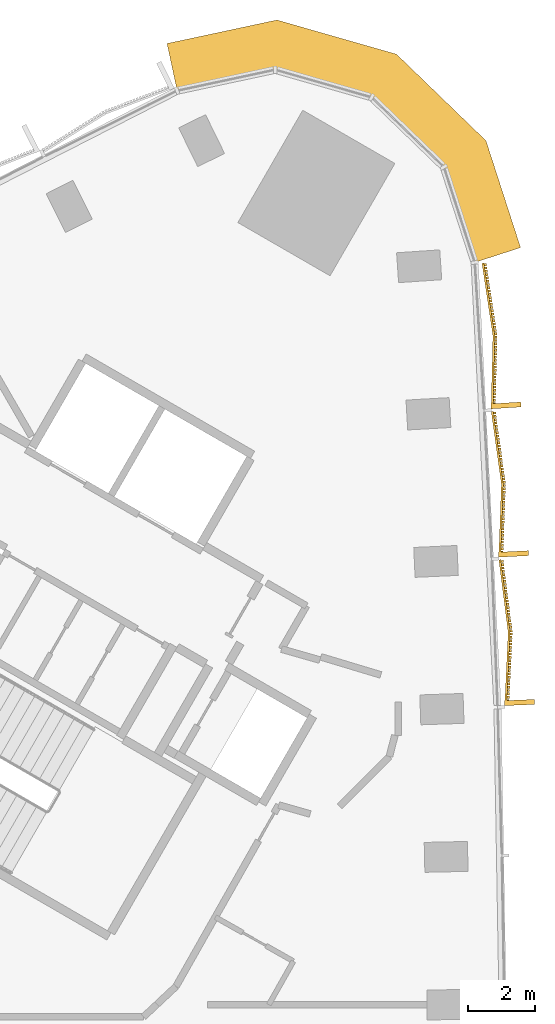
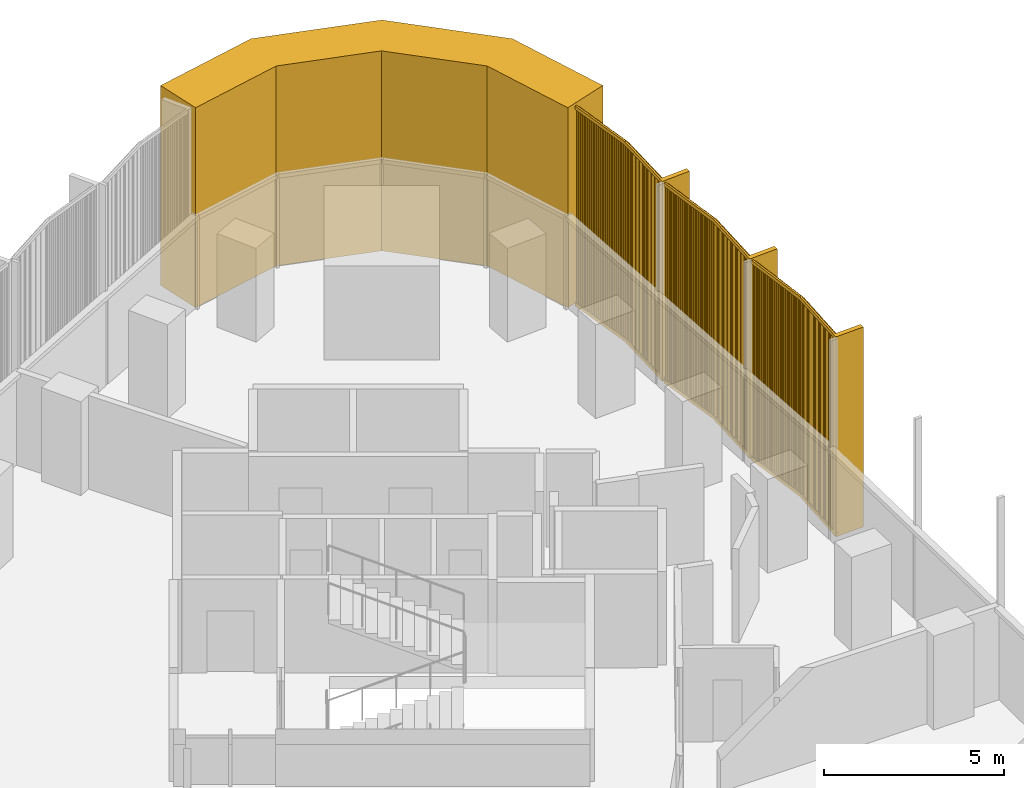
# One storey, part 15 of 15: 4 coverings.
"""IFC4 building model written with IfcOpenShell, lengths in metres."""

from ifc_helpers import new_model, si_unit, direction, frame, frame_2d, origin, place, context, subcontext, project, spatial, polyline, rectangle, outline, extrude, source, transform, mapped, material, layer, layer_set, type_object, element, save


model = new_model("IFC4")

# Units and contexts
model_context = context("Model", 3, precision=1e-05, world=origin(), true_north=direction((0.0, 1.0)))
body_context = subcontext(model_context, "Body", "Model", "MODEL_VIEW")
ifc_project = project(units=[si_unit("LENGTHUNIT", "METRE"), si_unit("AREAUNIT", "SQUARE_METRE"), si_unit("VOLUMEUNIT", "CUBIC_METRE"), si_unit("PLANEANGLEUNIT", "RADIAN"), si_unit("MASSUNIT", "GRAM", prefix="KILO")], contexts=[model_context])

# Site, building, storey
site_placement = place(None, origin())
site = spatial("IfcSite", under=ifc_project, at=site_placement, CompositionType="ELEMENT")
building_placement = place(site_placement, origin())
building = spatial("IfcBuilding", under=site, at=building_placement, Name="Tamra Quay Hotel Tower", CompositionType="ELEMENT")
storey_placement = place(building_placement, frame((0.0, 0.0, 79.39990234375)))
storey = spatial("IfcBuildingStorey", under=building, at=storey_placement, Name="L18", CompositionType="ELEMENT", Elevation=79.39990234375)

# Coverings
ifc_material_1 = material(Name="Precast concrete M60 terracotta-coloured", Category="masonry")
ifc_layer = layer(ifc_material_1, 1.449951171875)
ifc_layer_set = layer_set([ifc_layer], Name="CORNER PIER PANEL")
covering_type_1 = type_object("IfcCoveringType", Name="CORNER PIER PANEL", PredefinedType="CLADDING", material=ifc_layer_set)
covering_placement = place(storey_placement, origin())
element("IfcCovering", 1, at=covering_placement, inside=storey, type_object=covering_type_1, Name="Corner pier L18.east", PredefinedType="CLADDING", context=body_context, shape_type="SweptSolid", body=[
    extrude(outline(polyline([(21.41650390625, 26.762451171875), (22.7958984375, 27.208740234375), (21.756103515625, 30.423583984375), (19.066162109375, 33.0234375), (15.469482421875, 34.052978515625), (12.16552734375, 33.34619140625), (12.46875, 31.928466796875), (15.418701171875, 32.559326171875), (18.31884765625, 31.729248046875), (20.48779296875, 29.6328125), (21.41650390625, 26.762451171875)])), origin(), (0.0, 0.0, 1.0), 6.775146484375),
])
ifc_material_2 = material(Name="Terracotta baguette extruded", Category="masonry")
covering_type_2 = type_object("IfcCoveringType", Name="BAGUETTE SCREEN E-V H6775", PredefinedType="USERDEFINED", material=ifc_material_2)
shared_shape = source(origin(), body_context, "Body", "SweptSolid", [
    extrude(rectangle(XDim=2.200927734375, YDim=0.06005859375, at=frame_2d((1.1005859375, 0.030029296875))), frame((-2.19775390625, -0.057861328125, -0.1201171875), z_axis=(0.0, 0.0, 1.0), x_axis=(0.996194698092, -0.087155742748, 0.0)), (0.0, 0.0, 1.0), 0.1201171875),
    extrude(rectangle(XDim=2.200927734375, YDim=0.06005859375, at=frame_2d((1.1005859375, 0.030029296875))), frame((-2.19775390625, -0.057861328125, -6.77490234375), z_axis=(0.0, 0.0, 1.0), x_axis=(0.996194698092, -0.087155742748, 0.0)), (0.0, 0.0, 1.0), 0.1201171875),
    extrude(rectangle(XDim=0.070068359375, YDim=0.10009765625, at=frame_2d((0.03515625, 0.050048828125))), frame((-2.177734375, -0.13232421875, -6.715087890625)), (0.0, 0.0, 1.0), 6.655029296875),
    extrude(rectangle(XDim=0.070068359375, YDim=0.10009765625, at=frame_2d((0.03515625, 0.050048828125))), frame((-2.078125, -0.14111328125, -6.715087890625)), (0.0, 0.0, 1.0), 6.655029296875),
    extrude(rectangle(XDim=0.070068359375, YDim=0.10009765625, at=frame_2d((0.03515625, 0.050048828125))), frame((-1.978271484375, -0.14990234375, -6.715087890625)), (0.0, 0.0, 1.0), 6.655029296875),
    extrude(rectangle(XDim=0.070068359375, YDim=0.10009765625, at=frame_2d((0.03515625, 0.050048828125))), frame((-1.878662109375, -0.158447265625, -6.715087890625)), (0.0, 0.0, 1.0), 6.655029296875),
    extrude(rectangle(XDim=0.070068359375, YDim=0.10009765625, at=frame_2d((0.03515625, 0.050048828125))), frame((-1.779052734375, -0.167236328125, -6.715087890625)), (0.0, 0.0, 1.0), 6.655029296875),
    extrude(rectangle(XDim=0.070068359375, YDim=0.10009765625, at=frame_2d((0.03515625, 0.050048828125))), frame((-1.679443359375, -0.176025390625, -6.715087890625)), (0.0, 0.0, 1.0), 6.655029296875),
    extrude(rectangle(XDim=0.070068359375, YDim=0.10009765625, at=frame_2d((0.03515625, 0.050048828125))), frame((-1.579833984375, -0.1845703125, -6.715087890625)), (0.0, 0.0, 1.0), 6.655029296875),
    extrude(rectangle(XDim=0.070068359375, YDim=0.10009765625, at=frame_2d((0.03515625, 0.050048828125))), frame((-1.47998046875, -0.193359375, -6.715087890625)), (0.0, 0.0, 1.0), 6.655029296875),
    extrude(rectangle(XDim=0.070068359375, YDim=0.10009765625, at=frame_2d((0.03515625, 0.050048828125))), frame((-1.38037109375, -0.2021484375, -6.715087890625)), (0.0, 0.0, 1.0), 6.655029296875),
    extrude(rectangle(XDim=0.070068359375, YDim=0.10009765625, at=frame_2d((0.03515625, 0.050048828125))), frame((-1.28076171875, -0.2109375, -6.715087890625)), (0.0, 0.0, 1.0), 6.655029296875),
    extrude(rectangle(XDim=0.070068359375, YDim=0.10009765625, at=frame_2d((0.03515625, 0.050048828125))), frame((-1.18115234375, -0.219482421875, -6.715087890625)), (0.0, 0.0, 1.0), 6.655029296875),
    extrude(rectangle(XDim=0.070068359375, YDim=0.10009765625, at=frame_2d((0.03515625, 0.050048828125))), frame((-1.081298828125, -0.228271484375, -6.715087890625)), (0.0, 0.0, 1.0), 6.655029296875),
    extrude(rectangle(XDim=0.070068359375, YDim=0.10009765625, at=frame_2d((0.03515625, 0.050048828125))), frame((-0.981689453125, -0.237060546875, -6.715087890625)), (0.0, 0.0, 1.0), 6.655029296875),
    extrude(rectangle(XDim=0.070068359375, YDim=0.10009765625, at=frame_2d((0.03515625, 0.050048828125))), frame((-0.882080078125, -0.24560546875, -6.715087890625)), (0.0, 0.0, 1.0), 6.655029296875),
    extrude(rectangle(XDim=0.070068359375, YDim=0.10009765625, at=frame_2d((0.03515625, 0.050048828125))), frame((-0.782470703125, -0.25439453125, -6.715087890625)), (0.0, 0.0, 1.0), 6.655029296875),
    extrude(rectangle(XDim=0.070068359375, YDim=0.10009765625, at=frame_2d((0.03515625, 0.050048828125))), frame((-0.682861328125, -0.26318359375, -6.715087890625)), (0.0, 0.0, 1.0), 6.655029296875),
    extrude(rectangle(XDim=0.070068359375, YDim=0.10009765625, at=frame_2d((0.03515625, 0.050048828125))), frame((-0.583251953125, -0.27197265625, -6.715087890625)), (0.0, 0.0, 1.0), 6.655029296875),
    extrude(rectangle(XDim=0.070068359375, YDim=0.10009765625, at=frame_2d((0.03515625, 0.050048828125))), frame((-0.4833984375, -0.280517578125, -6.715087890625)), (0.0, 0.0, 1.0), 6.655029296875),
    extrude(rectangle(XDim=0.070068359375, YDim=0.10009765625, at=frame_2d((0.03515625, 0.050048828125))), frame((-0.3837890625, -0.289306640625, -6.715087890625)), (0.0, 0.0, 1.0), 6.655029296875),
    extrude(rectangle(XDim=0.070068359375, YDim=0.10009765625, at=frame_2d((0.03515625, 0.050048828125))), frame((-0.2841796875, -0.298095703125, -6.715087890625)), (0.0, 0.0, 1.0), 6.655029296875),
    extrude(rectangle(XDim=0.070068359375, YDim=0.10009765625, at=frame_2d((0.03515625, 0.050048828125))), frame((-0.1845703125, -0.306640625, -6.715087890625)), (0.0, 0.0, 1.0), 6.655029296875),
    extrude(rectangle(XDim=0.070068359375, YDim=0.10009765625, at=frame_2d((0.03515625, 0.050048828125))), frame((-0.084716796875, -0.3154296875, -6.715087890625)), (0.0, 0.0, 1.0), 6.655029296875),
    extrude(rectangle(XDim=2.200927734375, YDim=0.06005859375, at=frame_2d((1.1005859375, 0.030029296875))), frame((0.005126953125, -0.24951171875, -0.1201171875), z_axis=(0.0, 0.0, 1.0), x_axis=(0.996194698092, 0.087155742748, 0.0)), (0.0, 0.0, 1.0), 0.1201171875),
    extrude(rectangle(XDim=2.200927734375, YDim=0.06005859375, at=frame_2d((1.1005859375, 0.030029296875))), frame((0.005126953125, -0.24951171875, -6.77490234375), z_axis=(0.0, 0.0, 1.0), x_axis=(0.996194698092, 0.087155742748, 0.0)), (0.0, 0.0, 1.0), 0.1201171875),
    extrude(rectangle(XDim=0.070068359375, YDim=0.10009765625, at=frame_2d((0.03515625, 0.050048828125))), frame((0.014892578125, -0.3154296875, -6.715087890625)), (0.0, 0.0, 1.0), 6.655029296875),
    extrude(rectangle(XDim=0.070068359375, YDim=0.10009765625, at=frame_2d((0.03515625, 0.050048828125))), frame((0.114501953125, -0.306640625, -6.715087890625)), (0.0, 0.0, 1.0), 6.655029296875),
    extrude(rectangle(XDim=0.070068359375, YDim=0.10009765625, at=frame_2d((0.03515625, 0.050048828125))), frame((0.214111328125, -0.298095703125, -6.715087890625)), (0.0, 0.0, 1.0), 6.655029296875),
    extrude(rectangle(XDim=0.070068359375, YDim=0.10009765625, at=frame_2d((0.03515625, 0.050048828125))), frame((0.313720703125, -0.289306640625, -6.715087890625)), (0.0, 0.0, 1.0), 6.655029296875),
    extrude(rectangle(XDim=0.070068359375, YDim=0.10009765625, at=frame_2d((0.03515625, 0.050048828125))), frame((0.41357421875, -0.280517578125, -6.715087890625)), (0.0, 0.0, 1.0), 6.655029296875),
    extrude(rectangle(XDim=0.070068359375, YDim=0.10009765625, at=frame_2d((0.03515625, 0.050048828125))), frame((0.51318359375, -0.27197265625, -6.715087890625)), (0.0, 0.0, 1.0), 6.655029296875),
    extrude(rectangle(XDim=0.070068359375, YDim=0.10009765625, at=frame_2d((0.03515625, 0.050048828125))), frame((0.61279296875, -0.26318359375, -6.715087890625)), (0.0, 0.0, 1.0), 6.655029296875),
    extrude(rectangle(XDim=0.070068359375, YDim=0.10009765625, at=frame_2d((0.03515625, 0.050048828125))), frame((0.71240234375, -0.25439453125, -6.715087890625)), (0.0, 0.0, 1.0), 6.655029296875),
    extrude(rectangle(XDim=0.070068359375, YDim=0.10009765625, at=frame_2d((0.03515625, 0.050048828125))), frame((0.81201171875, -0.24560546875, -6.715087890625)), (0.0, 0.0, 1.0), 6.655029296875),
    extrude(rectangle(XDim=0.070068359375, YDim=0.10009765625, at=frame_2d((0.03515625, 0.050048828125))), frame((0.911865234375, -0.237060546875, -6.715087890625)), (0.0, 0.0, 1.0), 6.655029296875),
    extrude(rectangle(XDim=0.070068359375, YDim=0.10009765625, at=frame_2d((0.03515625, 0.050048828125))), frame((1.011474609375, -0.228271484375, -6.715087890625)), (0.0, 0.0, 1.0), 6.655029296875),
    extrude(rectangle(XDim=0.070068359375, YDim=0.10009765625, at=frame_2d((0.03515625, 0.050048828125))), frame((1.111083984375, -0.219482421875, -6.715087890625)), (0.0, 0.0, 1.0), 6.655029296875),
    extrude(rectangle(XDim=0.070068359375, YDim=0.10009765625, at=frame_2d((0.03515625, 0.050048828125))), frame((1.210693359375, -0.2109375, -6.715087890625)), (0.0, 0.0, 1.0), 6.655029296875),
    extrude(rectangle(XDim=0.070068359375, YDim=0.10009765625, at=frame_2d((0.03515625, 0.050048828125))), frame((1.310302734375, -0.2021484375, -6.715087890625)), (0.0, 0.0, 1.0), 6.655029296875),
    extrude(rectangle(XDim=0.070068359375, YDim=0.10009765625, at=frame_2d((0.03515625, 0.050048828125))), frame((1.41015625, -0.193359375, -6.715087890625)), (0.0, 0.0, 1.0), 6.655029296875),
    extrude(rectangle(XDim=0.070068359375, YDim=0.10009765625, at=frame_2d((0.03515625, 0.050048828125))), frame((1.509765625, -0.1845703125, -6.715087890625)), (0.0, 0.0, 1.0), 6.655029296875),
    extrude(rectangle(XDim=0.070068359375, YDim=0.10009765625, at=frame_2d((0.03515625, 0.050048828125))), frame((1.609375, -0.176025390625, -6.715087890625)), (0.0, 0.0, 1.0), 6.655029296875),
    extrude(rectangle(XDim=0.070068359375, YDim=0.10009765625, at=frame_2d((0.03515625, 0.050048828125))), frame((1.708984375, -0.167236328125, -6.715087890625)), (0.0, 0.0, 1.0), 6.655029296875),
    extrude(rectangle(XDim=0.070068359375, YDim=0.10009765625, at=frame_2d((0.03515625, 0.050048828125))), frame((1.80859375, -0.158447265625, -6.715087890625)), (0.0, 0.0, 1.0), 6.655029296875),
    extrude(rectangle(XDim=0.070068359375, YDim=0.10009765625, at=frame_2d((0.03515625, 0.050048828125))), frame((1.908447265625, -0.14990234375, -6.715087890625)), (0.0, 0.0, 1.0), 6.655029296875),
    extrude(rectangle(XDim=0.070068359375, YDim=0.10009765625, at=frame_2d((0.03515625, 0.050048828125))), frame((2.008056640625, -0.14111328125, -6.715087890625)), (0.0, 0.0, 1.0), 6.655029296875),
    extrude(rectangle(XDim=0.070068359375, YDim=0.10009765625, at=frame_2d((0.03515625, 0.050048828125))), frame((2.107666015625, -0.13232421875, -6.715087890625)), (0.0, 0.0, 1.0), 6.655029296875),
    extrude(rectangle(XDim=0.14990234375, YDim=0.902099609375, at=frame_2d((0.074951171875, 0.451171875))), frame((-2.1923828125, -0.89990234375, -6.77490234375)), (0.0, 0.0, 1.0), 6.77490234375),
])
for number, where, z_axis, x_axis, name in (
    (2, (22.232177734375, 15.628173828125, 6.775146484375), (0.0, 0.0, 1.0), (-0.039943755239, 0.999201929751, 0.0), "Baguette screen L18.E.f09"),
    (3, (22.0283203125, 20.090087890625, 6.775146484375), (0.0, 0.0, 1.0), (-0.051320550821, 0.998682232276, 0.0), "Baguette screen L18.E.f10"),
    (4, (21.77392578125, 24.548828125, 6.775146484375), (0.0, 0.0, 1.0), (-0.062670105733, 0.998034296929, 0.0), "Baguette screen L18.E.f11"),
):
    element("IfcCovering", number, at=place(storey_placement, frame(where, z_axis=z_axis, x_axis=x_axis)), inside=storey, type_object=covering_type_2, Name=name, ObjectType="BAGUETTE SCREEN", PredefinedType="USERDEFINED", context=body_context, shape_type="MappedRepresentation", body=[
        mapped(shared_shape, transform((0.0, 0.0, 0.0), scale=1.0)),
    ])

save(model, "model.ifc")
